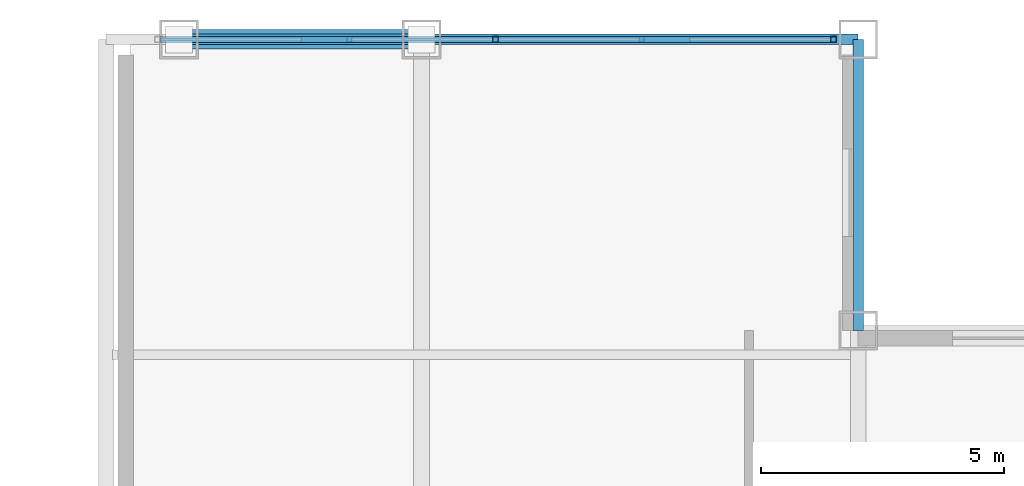
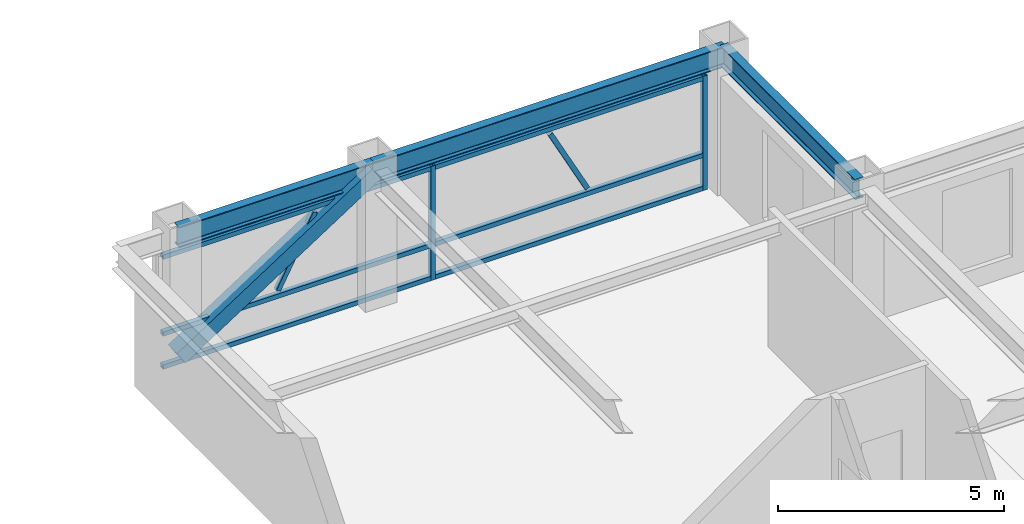
# One storey, part 23 of 29: 11 members, 3 beams, 1 element without a shape of its own.
"""IFC4 building model written with IfcOpenShell, lengths in metres."""

from ifc_helpers import new_model, si_unit, direction, frame, origin, origin_2d, place, context, subcontext, project, spatial, hollow_rectangle, i_section, extrude, source, transform, mapped, material, material_profile, profile_set, type_object, element, aggregate, save


model = new_model("IFC4")

# Units and contexts
model_context = context("Model", 3, precision=1e-05, world=origin(), true_north=direction((0.0, 1.0)))
body_context = subcontext(model_context, "Body", "Model", "MODEL_VIEW")
ifc_project = project(units=[si_unit("LENGTHUNIT", "METRE"), si_unit("AREAUNIT", "SQUARE_METRE"), si_unit("VOLUMEUNIT", "CUBIC_METRE"), si_unit("PLANEANGLEUNIT", "RADIAN"), si_unit("MASSUNIT", "GRAM", prefix="KILO")], contexts=[model_context])

# Site, building, storey
site_placement = place(None, origin())
site = spatial("IfcSite", under=ifc_project, at=site_placement, CompositionType="ELEMENT")
building_placement = place(site_placement, origin())
building = spatial("IfcBuilding", under=site, at=building_placement, Name="Khorayat Bourse Tower", CompositionType="ELEMENT")
storey_placement = place(building_placement, frame((0.0, 0.0, 350.300048828125)))
storey = spatial("IfcBuildingStorey", under=building, at=storey_placement, Name="L83", CompositionType="ELEMENT", Elevation=350.300048828125)

# Beams
ifc_material_1 = material(Name="Steel ASTM A992 Grade 50", Category="steel")
ifc_material_profile_1 = material_profile(ifc_material_1, i_section(OverallWidth=0.214111328125, OverallDepth=0.549072265625, WebThickness=0.0146484375, FlangeThickness=0.023681640625, FilletRadius=0.013916015625, at=origin_2d()), Name="W530X138")
ifc_profile_set_1 = profile_set([ifc_material_profile_1], Name="Steel ASTM A992 Grade 50")
beam_type = type_object("IfcBeamType", Name="BM-SPAN-530", PredefinedType="SPANDREL", material=ifc_profile_set_1)
shared_shape_1 = source(origin(), body_context, "Body", "SweptSolid", [
    extrude(i_section(OverallWidth=0.214111328125, OverallDepth=0.549072265625, WebThickness=0.0146484375, FlangeThickness=0.023681640625, FilletRadius=0.013916015625, at=origin_2d()), origin(), (0.0, 0.0, 1.0), 9.0),
])
beam_1_placement = place(storey_placement, frame((11.0, 26.0, 3.46533203125), z_axis=(1.0, 0.0, 0.0), x_axis=(0.0, 1.0, 0.0)))
element("IfcBeam", 1, at=beam_1_placement, inside=storey, type_object=beam_type, Name="L83 BM-SPAN-530 BM-L83-SPN-037", PredefinedType="SPANDREL", context=body_context, shape_type="MappedRepresentation", body=[
    mapped(shared_shape_1, transform((0.0, 0.0, 0.0), scale=1.0)),
])
shared_shape_2 = source(origin(), body_context, "Body", "SweptSolid", [
    extrude(i_section(OverallWidth=0.214111328125, OverallDepth=0.549072265625, WebThickness=0.0146484375, FlangeThickness=0.023681640625, FilletRadius=0.013916015625, at=origin_2d()), origin(), (0.0, 0.0, 1.0), 5.0),
])
beam_2_placement = place(storey_placement, frame((6.0, 26.0, 3.46533203125), z_axis=(1.0, 0.0, 0.0), x_axis=(0.0, 1.0, 0.0)))
element("IfcBeam", 2, at=beam_2_placement, inside=storey, type_object=beam_type, Name="L83 BM-SPAN-530 BM-L83-SPN-038", PredefinedType="SPANDREL", context=body_context, shape_type="MappedRepresentation", body=[
    mapped(shared_shape_2, transform((0.0, 0.0, 0.0), scale=1.0)),
])
shared_shape_3 = source(origin(), body_context, "Body", "SweptSolid", [
    extrude(i_section(OverallWidth=0.214111328125, OverallDepth=0.549072265625, WebThickness=0.0146484375, FlangeThickness=0.023681640625, FilletRadius=0.013916015625, at=origin_2d()), origin(), (0.0, 0.0, 1.0), 6.0),
])
beam_3_placement = place(storey_placement, frame((20.0, 20.0, 3.46533203125), z_axis=(0.0, 1.0, 0.0), x_axis=(-1.0, 0.0, 0.0)))
element("IfcBeam", 3, at=beam_3_placement, inside=storey, type_object=beam_type, Name="L83 BM-SPAN-530 BM-L83-SPN-036", PredefinedType="SPANDREL", context=body_context, shape_type="MappedRepresentation", body=[
    mapped(shared_shape_3, transform((0.0, 0.0, 0.0), scale=1.0)),
])

# Member
ifc_material_2 = material(Name="Steel EN 10025-4 S460M", Category="steel")
ifc_material_profile_2 = material_profile(ifc_material_2, hollow_rectangle(XDim=0.39990234375, YDim=0.39990234375, WallThickness=0.02197265625, at=origin_2d()), Name="HSS 400x400x22")
ifc_profile_set_2 = profile_set([ifc_material_profile_2], Name="Steel EN 10025-4 S460M")
member_type_1 = type_object("IfcMemberType", Name="MBR-TUBE-400", PredefinedType="BRACE", material=ifc_profile_set_2)
shared_shape_4 = source(origin(), body_context, "Body", "SweptSolid", [
    extrude(hollow_rectangle(XDim=0.39990234375, YDim=0.39990234375, WallThickness=0.02197265625, at=origin_2d()), origin(), (0.0, 0.0, 1.0), 5.9580078125),
])
member_1_placement = place(storey_placement, frame((6.0, 26.0, 0.25), z_axis=(0.839210474455, 0.0, 0.543806748364), x_axis=(0.0, 1.0, 0.0)))
element("IfcMember", 4, at=member_1_placement, inside=storey, type_object=member_type_1, Name="L83 Perimeter Tube Brace 04", PredefinedType="BRACE", context=body_context, shape_type="MappedRepresentation", body=[
    mapped(shared_shape_4, transform((0.0, 0.0, 0.0), scale=1.0)),
])

# Curtain wall, members
ifc_material_3 = material(Name="Aluminium EN AW-6063 T6", Category="aluminium")
curtain_wall_type = type_object("IfcCurtainWallType", Name="CW-SYS-06", PredefinedType="NOTDEFINED", material=ifc_material_3)
curtain_wall_placement = place(storey_placement, origin())
curtain_wall = element("IfcCurtainWall", 5, at=curtain_wall_placement, inside=storey, type_object=curtain_wall_type, Name="L83 Curtain Wall CW-L83-N2", PredefinedType="NOTDEFINED")
ifc_material_profile_3 = material_profile(ifc_material_3, hollow_rectangle(XDim=0.1201171875, YDim=0.1201171875, WallThickness=0.0048828125, at=origin_2d()), Name="ALU 120x120x5")
ifc_profile_set_3 = profile_set([ifc_material_profile_3], Name="Aluminium EN AW-6063 T6")
member_type_2 = type_object("IfcMemberType", Name="CWM-VERT-120", PredefinedType="MULLION", material=ifc_profile_set_3)
shared_shape_5 = source(origin(), body_context, "Body", "SweptSolid", [
    extrude(hollow_rectangle(XDim=0.1201171875, YDim=0.1201171875, WallThickness=0.0048828125, at=origin_2d()), origin(), (0.0, 0.0, 1.0), 3.08984375),
])
member_2_placement = place(storey_placement, frame((19.489990234375, 26.0, 0.0), z_axis=(0.0, 0.0, 1.0), x_axis=(0.0, -1.0, 0.0)))
member_2 = element("IfcMember", 6, at=member_2_placement, type_object=member_type_2, Name="CW-L83-N2 Vertical Mullion 1", PredefinedType="MULLION", context=body_context, shape_type="MappedRepresentation", body=[
    mapped(shared_shape_5, transform((0.0, 0.0, 0.0), scale=1.0)),
])
member_3_placement = place(storey_placement, frame((12.52490234375, 26.0, 0.0), z_axis=(0.0, 0.0, 1.0), x_axis=(0.0, -1.0, 0.0)))
member_3 = element("IfcMember", 7, at=member_3_placement, type_object=member_type_2, Name="CW-L83-N2 Vertical Mullion 2", PredefinedType="MULLION", context=body_context, shape_type="MappedRepresentation", body=[
    mapped(shared_shape_5, transform((0.0, 0.0, 0.0), scale=1.0)),
])
ifc_material_profile_4 = material_profile(ifc_material_3, hollow_rectangle(XDim=0.1201171875, YDim=0.1201171875, WallThickness=0.0048828125, at=origin_2d()), Name="ALU 120x120x5")
ifc_profile_set_4 = profile_set([ifc_material_profile_4], Name="Aluminium EN AW-6063 T6")
member_type_3 = type_object("IfcMemberType", Name="CWM-DIAG-120", PredefinedType="MULLION", material=ifc_profile_set_4)
shared_shape_6 = source(origin(), body_context, "Body", "SweptSolid", [
    extrude(hollow_rectangle(XDim=0.1201171875, YDim=0.1201171875, WallThickness=0.0048828125, at=origin_2d()), origin(), (0.0, 0.0, 1.0), 2.0341796875),
])
member_4_placement = place(storey_placement, frame((16.481201171875, 26.0, 1.08984375), z_axis=(-0.465696964104, 0.0, 0.884944256789), x_axis=(0.0, -1.0, 0.0)))
member_4 = element("IfcMember", 8, at=member_4_placement, type_object=member_type_3, Name="CW-L83-N2 Faceted Diagonal Mullion 1", PredefinedType="MULLION", context=body_context, shape_type="MappedRepresentation", body=[
    mapped(shared_shape_6, transform((0.0, 0.0, 0.0), scale=1.0)),
])
member_5_placement = place(storey_placement, frame((8.56884765625, 26.0, 1.08984375), z_axis=(0.465696964104, 0.0, 0.884944256789), x_axis=(0.0, 1.0, 0.0)))
member_5 = element("IfcMember", 9, at=member_5_placement, type_object=member_type_3, Name="CW-L83-N2 Faceted Diagonal Mullion 2", PredefinedType="MULLION", context=body_context, shape_type="MappedRepresentation", body=[
    mapped(shared_shape_6, transform((0.0, 0.0, 0.0), scale=1.0)),
])
ifc_material_profile_5 = material_profile(ifc_material_3, hollow_rectangle(XDim=0.1201171875, YDim=0.1201171875, WallThickness=0.0048828125, at=origin_2d()), Name="ALU 120x120x5")
ifc_profile_set_5 = profile_set([ifc_material_profile_5], Name="Aluminium EN AW-6063 T6")
member_type_4 = type_object("IfcMemberType", Name="CWT-HORZ-120", PredefinedType="USERDEFINED", material=ifc_profile_set_5)
shared_shape_7 = source(origin(), body_context, "Body", "SweptSolid", [
    extrude(hollow_rectangle(XDim=0.1201171875, YDim=0.1201171875, WallThickness=0.0048828125, at=origin_2d()), origin(), (0.0, 0.0, 1.0), 6.844970703125),
])
member_6_placement = place(storey_placement, frame((19.429931640625, 26.0, 0.06005859375), z_axis=(-1.0, 0.0, 0.0), x_axis=(0.0, -1.0, 0.0)))
member_6 = element("IfcMember", 10, at=member_6_placement, type_object=member_type_4, Name="CW-L83-N2 Horizontal Transom 1-1", ObjectType="TRANSOM", PredefinedType="USERDEFINED", context=body_context, shape_type="MappedRepresentation", body=[
    mapped(shared_shape_7, transform((0.0, 0.0, 0.0), scale=1.0)),
])
member_7_placement = place(storey_placement, frame((19.429931640625, 26.0, 0.949951171875), z_axis=(-1.0, 0.0, 0.0), x_axis=(0.0, -1.0, 0.0)))
member_7 = element("IfcMember", 11, at=member_7_placement, type_object=member_type_4, Name="CW-L83-N2 Horizontal Transom 1-2", ObjectType="TRANSOM", PredefinedType="USERDEFINED", context=body_context, shape_type="MappedRepresentation", body=[
    mapped(shared_shape_7, transform((0.0, 0.0, 0.0), scale=1.0)),
])
member_8_placement = place(storey_placement, frame((19.429931640625, 26.0, 3.030029296875), z_axis=(-1.0, 0.0, 0.0), x_axis=(0.0, -1.0, 0.0)))
member_8 = element("IfcMember", 12, at=member_8_placement, type_object=member_type_4, Name="CW-L83-N2 Horizontal Transom 1-3", ObjectType="TRANSOM", PredefinedType="USERDEFINED", context=body_context, shape_type="MappedRepresentation", body=[
    mapped(shared_shape_7, transform((0.0, 0.0, 0.0), scale=1.0)),
])
member_9_placement = place(storey_placement, frame((12.465087890625, 26.0, 0.06005859375), z_axis=(-1.0, 0.0, 0.0), x_axis=(0.0, -1.0, 0.0)))
member_9 = element("IfcMember", 13, at=member_9_placement, type_object=member_type_4, Name="CW-L83-N2 Horizontal Transom 2-1", ObjectType="TRANSOM", PredefinedType="USERDEFINED", context=body_context, shape_type="MappedRepresentation", body=[
    mapped(shared_shape_7, transform((0.0, 0.0, 0.0), scale=1.0)),
])
member_10_placement = place(storey_placement, frame((12.465087890625, 26.0, 0.949951171875), z_axis=(-1.0, 0.0, 0.0), x_axis=(0.0, -1.0, 0.0)))
member_10 = element("IfcMember", 14, at=member_10_placement, type_object=member_type_4, Name="CW-L83-N2 Horizontal Transom 2-2", ObjectType="TRANSOM", PredefinedType="USERDEFINED", context=body_context, shape_type="MappedRepresentation", body=[
    mapped(shared_shape_7, transform((0.0, 0.0, 0.0), scale=1.0)),
])
member_11_placement = place(storey_placement, frame((12.465087890625, 26.0, 3.030029296875), z_axis=(-1.0, 0.0, 0.0), x_axis=(0.0, -1.0, 0.0)))
member_11 = element("IfcMember", 15, at=member_11_placement, type_object=member_type_4, Name="CW-L83-N2 Horizontal Transom 2-3", ObjectType="TRANSOM", PredefinedType="USERDEFINED", context=body_context, shape_type="MappedRepresentation", body=[
    mapped(shared_shape_7, transform((0.0, 0.0, 0.0), scale=1.0)),
])
aggregate(curtain_wall, [member_2, member_3, member_6, member_7, member_8, member_4, member_9, member_10, member_11, member_5])

save(model, "model.ifc")
